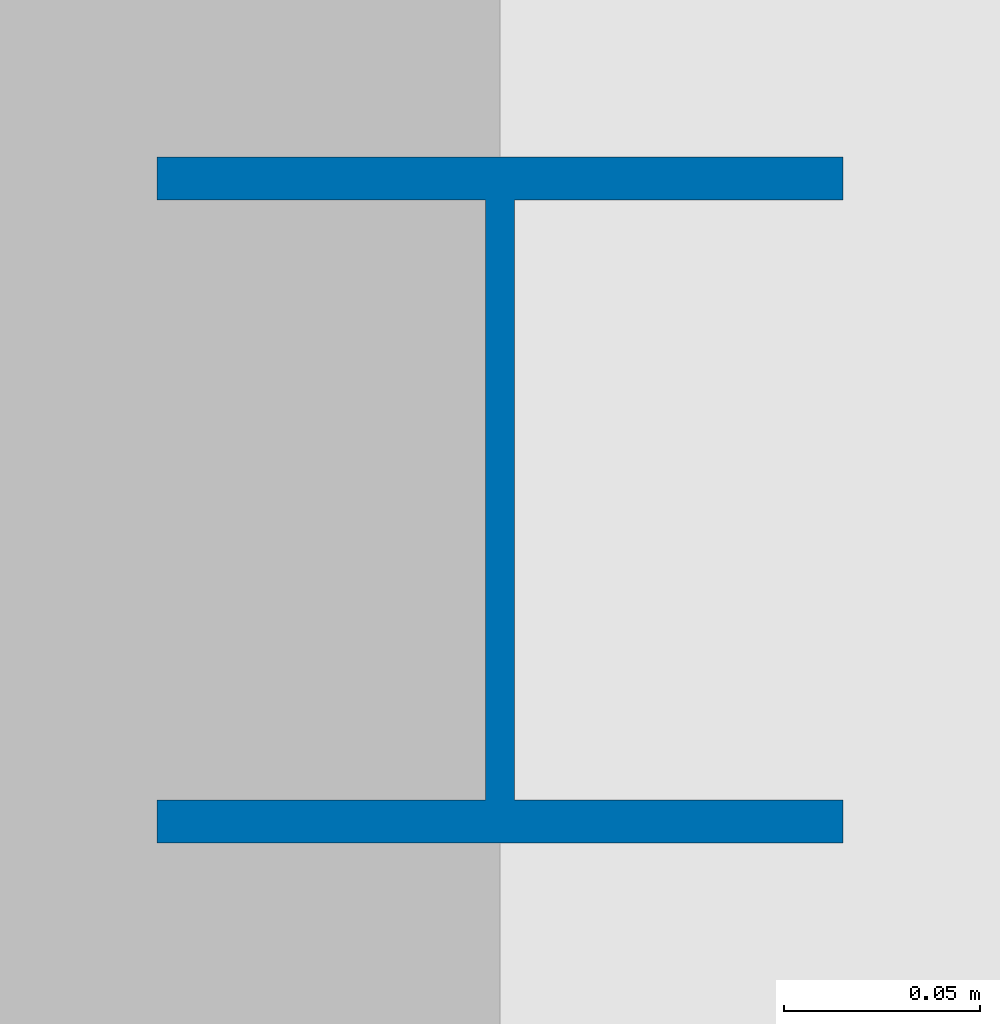
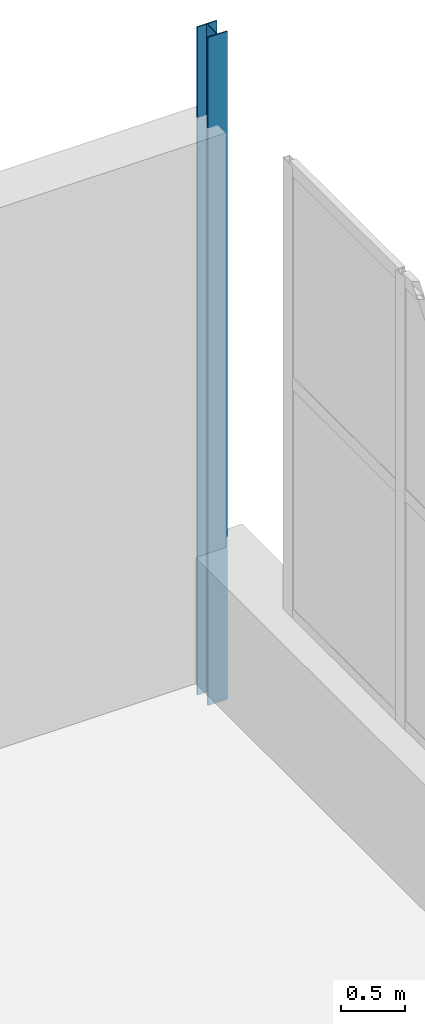
# One storey, part 52 of 139: 1 column.
"""IFC4 building model written with IfcOpenShell, lengths in metres."""

from ifc_helpers import new_model, si_unit, direction, frame, origin, origin_2d, place, context, subcontext, project, spatial, i_section, extrude, material, material_profile, profile_set, type_object, element, save


model = new_model("IFC4")

# Units and contexts
model_context = context("Model", 3, precision=1e-05, world=origin(), true_north=direction((0.0, 1.0)))
body_context = subcontext(model_context, "Body", "Model", "MODEL_VIEW")
ifc_project = project(units=[si_unit("LENGTHUNIT", "METRE"), si_unit("AREAUNIT", "SQUARE_METRE"), si_unit("VOLUMEUNIT", "CUBIC_METRE"), si_unit("PLANEANGLEUNIT", "RADIAN"), si_unit("MASSUNIT", "GRAM", prefix="KILO")], contexts=[model_context])

# Site, building, storey
site_placement = place(None, origin())
site = spatial("IfcSite", under=ifc_project, at=site_placement, CompositionType="ELEMENT")
building_placement = place(site_placement, origin())
building = spatial("IfcBuilding", under=site, at=building_placement, Name="Kazenagashi Tramway Depot", CompositionType="ELEMENT")
storey_placement = place(building_placement, origin())
storey = spatial("IfcBuildingStorey", under=building, at=storey_placement, Name="L01", CompositionType="ELEMENT", Elevation=0.0)

# Column
ifc_material = material(Name="Steel SN400B", Category="steel")
ifc_material_profile = material_profile(ifc_material, i_section(OverallWidth=0.175, OverallDepth=0.175, WebThickness=0.0075, FlangeThickness=0.011, at=origin_2d()), Name="H-175x175x7.5x11")
ifc_profile_set = profile_set([ifc_material_profile], Name="Steel SN400B")
column_type = type_object("IfcColumnType", Name="C-08", PredefinedType="COLUMN", material=ifc_profile_set)
column_placement = place(storey_placement, frame((196.0, 130.0, -0.35), z_axis=(0.0, 0.0, 1.0), x_axis=(1.0, 0.0, 0.0)))
element("IfcColumn", 1, at=column_placement, inside=storey, type_object=column_type, Name="Column C-08 COL-0113", PredefinedType="COLUMN", context=body_context, shape_type="SweptSolid", body=[
    extrude(i_section(OverallWidth=0.175, OverallDepth=0.175, WebThickness=0.0075, FlangeThickness=0.011, at=origin_2d()), origin(), (0.0, 0.0, 1.0), 6.35),
])

save(model, "model.ifc")
